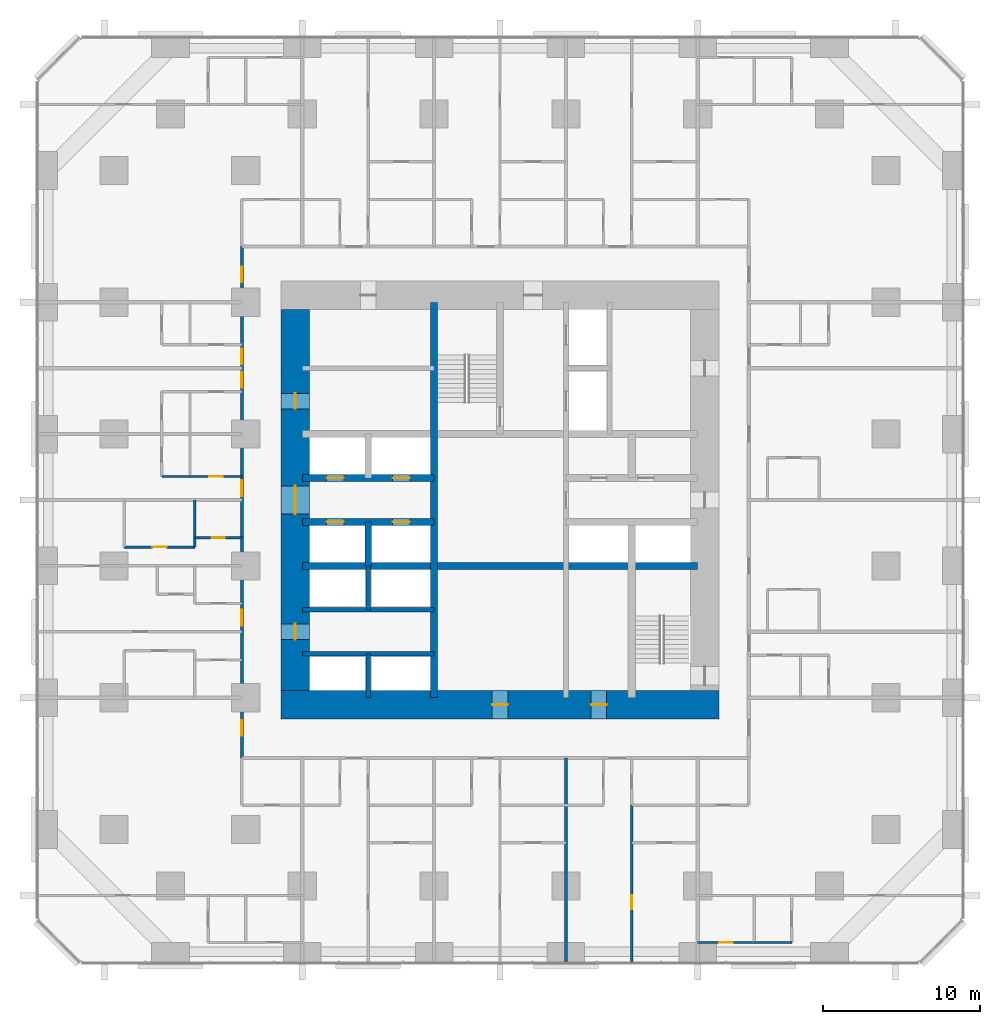
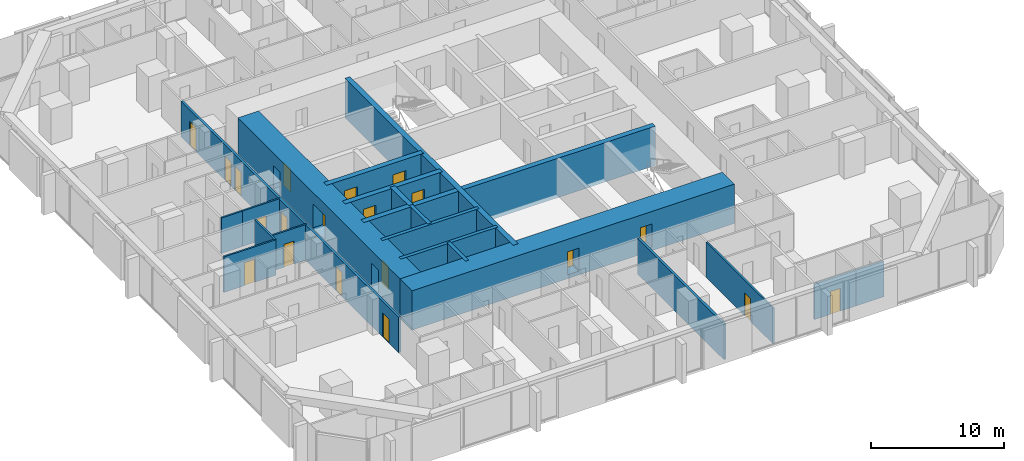
# One storey, part 12 of 17: 21 walls, 20 doors, 20 openings.
"""IFC4 building model written with IfcOpenShell, lengths in metres."""

from ifc_helpers import new_model, si_unit, direction, frame, frame_2d, origin, place, context, subcontext, project, spatial, rectangle, extrude, material, layer, layer_set, type_object, element, fill, save


model = new_model("IFC4")

# Units and contexts
model_context = context("Model", 3, precision=1e-05, world=origin(), true_north=direction((0.0, 1.0)))
body_context = subcontext(model_context, "Body", "Model", "MODEL_VIEW")
ifc_project = project(units=[si_unit("LENGTHUNIT", "METRE"), si_unit("AREAUNIT", "SQUARE_METRE"), si_unit("VOLUMEUNIT", "CUBIC_METRE"), si_unit("PLANEANGLEUNIT", "RADIAN"), si_unit("MASSUNIT", "GRAM", prefix="KILO")], contexts=[model_context])

# Site, building, storey
site_placement = place(None, origin())
site = spatial("IfcSite", under=ifc_project, at=site_placement, CompositionType="ELEMENT")
building_placement = place(site_placement, origin())
building = spatial("IfcBuilding", under=site, at=building_placement, Name="Dunama Terrace Hotel", CompositionType="ELEMENT")
storey_placement = place(building_placement, frame((0.0, 0.0, 45.0)))
storey = spatial("IfcBuildingStorey", under=building, at=storey_placement, Name="L10", CompositionType="ELEMENT", Elevation=45.0)

# Wall, opening, door
ifc_material_1 = material(Name="Gypsum board partition", Category="masonry")
ifc_layer_1 = layer(ifc_material_1, 0.14990234375)
ifc_layer_set_1 = layer_set([ifc_layer_1], Name="Bathroom partition 150")
wall_type_1 = type_object("IfcWallType", Name="Bathroom partition 150", PredefinedType="PARTITIONING", material=ifc_layer_set_1)
wall_1_placement = place(storey_placement, frame((42.0, 1.199951171875, 0.0), z_axis=(0.0, 0.0, 1.0), x_axis=(1.0, 0.0, 0.0)))
wall_1 = element("IfcWall", 1, at=wall_1_placement, inside=storey, type_object=wall_type_1, Name="Bathroom partition 150 L10", PredefinedType="PARTITIONING", context=body_context, shape_type="SweptSolid", body=[
    extrude(rectangle(XDim=3.60009765625, YDim=0.14990234375, at=frame_2d((1.800048828125, 0.0))), origin(), (0.0, 0.0, 1.0), 3.25),
])
opening_1_placement = place(wall_1_placement, frame((1.375, 0.0, 0.0)))
opening_1 = element("IfcOpeningElement", 2, at=opening_1_placement, cuts=wall_1, Name="Opening L10-11-075", PredefinedType="OPENING", context=body_context, shape_type="SweptSolid", body=[
    extrude(rectangle(XDim=0.85009765625, YDim=2.10009765625, at=frame_2d((0.425048828125, 1.050048828125))), frame((0.0, 0.0849609375, 0.0), z_axis=(0.0, -1.0, 0.0), x_axis=(1.0, 0.0, 0.0)), (0.0, 0.0, 1.0), 0.169921875),
])
ifc_material_2 = material(Name="Timber door with steel frame", Category="steel")
door_type_1 = type_object("IfcDoorType", Name="Bathroom door 850", OperationType="SINGLE_SWING_LEFT", PredefinedType="DOOR", material=ifc_material_2)
door_1_placement = place(opening_1_placement, origin())
door_1 = element("IfcDoor", 3, at=door_1_placement, inside=storey, type_object=door_type_1, Name="Door to en-suite bathroom L10-11-075, type D2", OperationType="SINGLE_SWING_LEFT", OverallHeight=2.10009765625, OverallWidth=0.85009765625, PredefinedType="DOOR", context=body_context, shape_type="SweptSolid", body=[
    extrude(rectangle(XDim=0.85009765625, YDim=2.10009765625, at=frame_2d((0.425048828125, 1.050048828125))), frame((0.0, 0.02490234375, 0.0), z_axis=(0.0, -1.0, 0.0), x_axis=(1.0, 0.0, 0.0)), (0.0, 0.0, 1.0), 0.050048828125),
])
fill(opening_1, door_1)

wall_2_placement = place(storey_placement, frame((9.949951171875, 27.0, 0.0), z_axis=(0.0, 0.0, 1.0), x_axis=(1.0, 0.0, 0.0)))
wall_2 = element("IfcWall", 4, at=wall_2_placement, inside=storey, type_object=wall_type_1, Name="Bathroom partition 150 L10", PredefinedType="PARTITIONING", context=body_context, shape_type="SweptSolid", body=[
    extrude(rectangle(XDim=3.0, YDim=0.14990234375, at=frame_2d((1.5, 0.0))), origin(), (0.0, 0.0, 1.0), 3.25),
])
opening_2_placement = place(wall_2_placement, frame((1.074951171875, 0.0, 0.0)))
opening_2 = element("IfcOpeningElement", 5, at=opening_2_placement, cuts=wall_2, Name="Opening L10-11-053", PredefinedType="OPENING", context=body_context, shape_type="SweptSolid", body=[
    extrude(rectangle(XDim=0.85009765625, YDim=2.10009765625, at=frame_2d((0.425048828125, 1.050048828125))), frame((0.0, 0.0849609375, 0.0), z_axis=(0.0, -1.0, 0.0), x_axis=(1.0, 0.0, 0.0)), (0.0, 0.0, 1.0), 0.169921875),
])
door_2_placement = place(opening_2_placement, origin())
door_2 = element("IfcDoor", 6, at=door_2_placement, inside=storey, type_object=door_type_1, Name="Door to en-suite bathroom L10-11-053, type D2", OperationType="SINGLE_SWING_RIGHT", OverallHeight=2.10009765625, OverallWidth=0.85009765625, PredefinedType="DOOR", context=body_context, shape_type="SweptSolid", body=[
    extrude(rectangle(XDim=0.85009765625, YDim=2.10009765625, at=frame_2d((0.425048828125, 1.050048828125))), frame((0.0, 0.02490234375, 0.0), z_axis=(0.0, -1.0, 0.0), x_axis=(1.0, 0.0, 0.0)), (0.0, 0.0, 1.0), 0.050048828125),
])
fill(opening_2, door_2)

wall_3_placement = place(storey_placement, frame((9.64990234375, 30.89990234375, 0.0), z_axis=(0.0, 0.0, 1.0), x_axis=(1.0, 0.0, 0.0)))
wall_3 = element("IfcWall", 7, at=wall_3_placement, inside=storey, type_object=wall_type_1, Name="Bathroom partition 150 L10", PredefinedType="PARTITIONING", context=body_context, shape_type="SweptSolid", body=[
    extrude(rectangle(XDim=3.300048828125, YDim=0.14990234375, at=frame_2d((1.64990234375, 0.0))), origin(), (0.0, 0.0, 1.0), 3.25),
])
opening_3_placement = place(wall_3_placement, frame((1.22509765625, 0.0, 0.0)))
opening_3 = element("IfcOpeningElement", 8, at=opening_3_placement, cuts=wall_3, Name="Opening L10-11-059", PredefinedType="OPENING", context=body_context, shape_type="SweptSolid", body=[
    extrude(rectangle(XDim=0.85009765625, YDim=2.10009765625, at=frame_2d((0.425048828125, 1.050048828125))), frame((0.0, 0.0849609375, 0.0), z_axis=(0.0, -1.0, 0.0), x_axis=(1.0, 0.0, 0.0)), (0.0, 0.0, 1.0), 0.169921875),
])
door_3_placement = place(opening_3_placement, origin())
door_3 = element("IfcDoor", 9, at=door_3_placement, inside=storey, type_object=door_type_1, Name="Door to en-suite bathroom L10-11-059, type D2", OperationType="SINGLE_SWING_RIGHT", OverallHeight=2.10009765625, OverallWidth=0.85009765625, PredefinedType="DOOR", context=body_context, shape_type="SweptSolid", body=[
    extrude(rectangle(XDim=0.85009765625, YDim=2.10009765625, at=frame_2d((0.425048828125, 1.050048828125))), frame((0.0, 0.02490234375, 0.0), z_axis=(0.0, -1.0, 0.0), x_axis=(1.0, 0.0, 0.0)), (0.0, 0.0, 1.0), 0.050048828125),
])
fill(opening_3, door_3)

# Walls
ifc_material_3 = material(Name="Concrete C50/60", Category="concrete")
ifc_layer_2 = layer(ifc_material_3, 0.300048828125)
ifc_layer_set_2 = layer_set([ifc_layer_2], Name="Core inner wall 300")
wall_type_2 = type_object("IfcWallType", Name="Core inner wall 300", PredefinedType="SHEAR", material=ifc_layer_set_2)
for number, where, z_axis, x_axis, name in (
    (10, (21.0, 16.800048828125, -0.35009765625), (0.0, 0.0, 1.0), (0.0, 1.0, 0.0), "Core inner wall 300 L10"),
    (11, (21.0, 22.39990234375, -0.35009765625), (0.0, 0.0, 1.0), (0.0, 1.0, 0.0), "Core inner wall 300 L10"),
):
    element("IfcWall", number, at=place(storey_placement, frame(where, z_axis=z_axis, x_axis=x_axis)), inside=storey, type_object=wall_type_2, Name=name, PredefinedType="SHEAR", context=body_context, shape_type="SweptSolid", body=[
        extrude(rectangle(XDim=2.800048828125, YDim=0.300048828125, at=frame_2d((1.39990234375, 0.0))), origin(), (0.0, 0.0, 1.0), 3.60009765625),
    ])
for number, where, z_axis, x_axis, name in (
    (12, (16.800048828125, 19.60009765625, -0.35009765625), (0.0, 0.0, 1.0), (1.0, 0.0, 0.0), "Core inner wall 300 L10"),
    (13, (16.800048828125, 22.39990234375, -0.35009765625), (0.0, 0.0, 1.0), (1.0, 0.0, 0.0), "Core inner wall 300 L10"),
):
    element("IfcWall", number, at=place(storey_placement, frame(where, z_axis=z_axis, x_axis=x_axis)), inside=storey, type_object=wall_type_2, Name=name, PredefinedType="SHEAR", context=body_context, shape_type="SweptSolid", body=[
        extrude(rectangle(XDim=8.39990234375, YDim=0.300048828125, at=frame_2d((4.199951171875, 0.0))), origin(), (0.0, 0.0, 1.0), 3.60009765625),
    ])
ifc_material_4 = material(Name="Concrete C50/60", Category="concrete")
ifc_layer_3 = layer(ifc_material_4, 0.39990234375)
ifc_layer_set_3 = layer_set([ifc_layer_3], Name="Core inner wall 400")
wall_type_3 = type_object("IfcWallType", Name="Core inner wall 400", PredefinedType="SHEAR", material=ifc_layer_set_3)
wall_4_placement = place(storey_placement, frame((21.0, 25.199951171875, -0.35009765625), z_axis=(0.0, 0.0, 1.0), x_axis=(0.0, 1.0, 0.0)))
element("IfcWall", 14, at=wall_4_placement, inside=storey, type_object=wall_type_3, Name="Core inner wall 400 L10", PredefinedType="SHEAR", context=body_context, shape_type="SweptSolid", body=[
    extrude(rectangle(XDim=2.800048828125, YDim=0.39990234375, at=frame_2d((1.39990234375, 0.0))), origin(), (0.0, 0.0, 1.0), 3.60009765625),
])
ifc_material_5 = material(Name="Concrete C50/60", Category="concrete")
ifc_layer_4 = layer(ifc_material_5, 0.449951171875)
ifc_layer_set_4 = layer_set([ifc_layer_4], Name="Core inner wall 450")
wall_type_4 = type_object("IfcWallType", Name="Core inner wall 450", PredefinedType="SHEAR", material=ifc_layer_set_4)
for number, where, z_axis, x_axis, name in (
    (15, (25.199951171875, 16.800048828125, -0.35009765625), (0.0, 0.0, 1.0), (0.0, 1.0, 0.0), "Core inner wall 450 L10"),
    (16, (16.800048828125, 25.199951171875, -0.35009765625), (0.0, 0.0, 1.0), (1.0, 0.0, 0.0), "Core inner wall 450 L10"),
):
    element("IfcWall", number, at=place(storey_placement, frame(where, z_axis=z_axis, x_axis=x_axis)), inside=storey, type_object=wall_type_4, Name=name, PredefinedType="SHEAR", context=body_context, shape_type="SweptSolid", body=[
        extrude(rectangle(XDim=25.199951171875, YDim=0.449951171875, at=frame_2d((12.60009765625, 0.0))), origin(), (0.0, 0.0, 1.0), 3.60009765625),
    ])

# Wall, openings, doors
wall_5_placement = place(storey_placement, frame((16.800048828125, 28.0, -0.35009765625), z_axis=(0.0, 0.0, 1.0), x_axis=(1.0, 0.0, 0.0)))
wall_5 = element("IfcWall", 17, at=wall_5_placement, inside=storey, type_object=wall_type_4, Name="Core inner wall 450 L10", PredefinedType="SHEAR", context=body_context, shape_type="SweptSolid", body=[
    extrude(rectangle(XDim=8.39990234375, YDim=0.449951171875, at=frame_2d((4.199951171875, 0.0))), origin(), (0.0, 0.0, 1.0), 3.60009765625),
])
opening_4_placement = place(wall_5_placement, frame((1.550048828125, 0.0, 0.35009765625)))
opening_4 = element("IfcOpeningElement", 18, at=opening_4_placement, cuts=wall_5, Name="Opening L10-11-003", PredefinedType="OPENING", context=body_context, shape_type="SweptSolid", body=[
    extrude(rectangle(XDim=1.10009765625, YDim=2.199951171875, at=frame_2d((0.550048828125, 1.10009765625))), frame((0.0, 0.23486328125, 0.0), z_axis=(0.0, -1.0, 0.0), x_axis=(1.0, 0.0, 0.0)), (0.0, 0.0, 1.0), 0.469970703125),
])
opening_5_placement = place(wall_5_placement, frame((5.75, 0.0, 0.35009765625)))
opening_5 = element("IfcOpeningElement", 19, at=opening_5_placement, cuts=wall_5, Name="Opening L10-11-004", PredefinedType="OPENING", context=body_context, shape_type="SweptSolid", body=[
    extrude(rectangle(XDim=1.10009765625, YDim=2.199951171875, at=frame_2d((0.550048828125, 1.10009765625))), frame((0.0, 0.23486328125, 0.0), z_axis=(0.0, -1.0, 0.0), x_axis=(1.0, 0.0, 0.0)), (0.0, 0.0, 1.0), 0.469970703125),
])
ifc_material_6 = material(Name="Stainless steel lift door", Category="steel")
door_type_2 = type_object("IfcDoorType", Name="Lift landing door 1100", OperationType="DOUBLE_DOOR_SLIDING", PredefinedType="DOOR", material=ifc_material_6)
door_4_placement = place(opening_4_placement, origin())
door_4 = element("IfcDoor", 20, at=door_4_placement, inside=storey, type_object=door_type_2, Name="Landing door PA1 L10-11-003, type LD1", OperationType="DOUBLE_DOOR_SLIDING", OverallHeight=2.199951171875, OverallWidth=1.10009765625, PredefinedType="DOOR", context=body_context, shape_type="SweptSolid", body=[
    extrude(rectangle(XDim=1.10009765625, YDim=2.199951171875, at=frame_2d((0.550048828125, 1.10009765625))), frame((0.0, 0.02490234375, 0.0), z_axis=(0.0, -1.0, 0.0), x_axis=(1.0, 0.0, 0.0)), (0.0, 0.0, 1.0), 0.050048828125),
])
fill(opening_4, door_4)
door_5_placement = place(opening_5_placement, origin())
door_5 = element("IfcDoor", 21, at=door_5_placement, inside=storey, type_object=door_type_2, Name="Landing door PA2 L10-11-004, type LD1", OperationType="DOUBLE_DOOR_SLIDING", OverallHeight=2.199951171875, OverallWidth=1.10009765625, PredefinedType="DOOR", context=body_context, shape_type="SweptSolid", body=[
    extrude(rectangle(XDim=1.10009765625, YDim=2.199951171875, at=frame_2d((0.550048828125, 1.10009765625))), frame((0.0, 0.02490234375, 0.0), z_axis=(0.0, -1.0, 0.0), x_axis=(1.0, 0.0, 0.0)), (0.0, 0.0, 1.0), 0.050048828125),
])
fill(opening_5, door_5)

wall_6_placement = place(storey_placement, frame((16.800048828125, 30.800048828125, -0.35009765625), z_axis=(0.0, 0.0, 1.0), x_axis=(1.0, 0.0, 0.0)))
wall_6 = element("IfcWall", 22, at=wall_6_placement, inside=storey, type_object=wall_type_4, Name="Core inner wall 450 L10", PredefinedType="SHEAR", context=body_context, shape_type="SweptSolid", body=[
    extrude(rectangle(XDim=8.39990234375, YDim=0.449951171875, at=frame_2d((4.199951171875, 0.0))), origin(), (0.0, 0.0, 1.0), 3.60009765625),
])
opening_6_placement = place(wall_6_placement, frame((1.550048828125, 0.0, 0.35009765625)))
opening_6 = element("IfcOpeningElement", 23, at=opening_6_placement, cuts=wall_6, Name="Opening L10-11-005", PredefinedType="OPENING", context=body_context, shape_type="SweptSolid", body=[
    extrude(rectangle(XDim=1.10009765625, YDim=2.199951171875, at=frame_2d((0.550048828125, 1.10009765625))), frame((0.0, 0.23486328125, 0.0), z_axis=(0.0, -1.0, 0.0), x_axis=(1.0, 0.0, 0.0)), (0.0, 0.0, 1.0), 0.469970703125),
])
opening_7_placement = place(wall_6_placement, frame((5.75, 0.0, 0.35009765625)))
opening_7 = element("IfcOpeningElement", 24, at=opening_7_placement, cuts=wall_6, Name="Opening L10-11-006", PredefinedType="OPENING", context=body_context, shape_type="SweptSolid", body=[
    extrude(rectangle(XDim=1.10009765625, YDim=2.199951171875, at=frame_2d((0.550048828125, 1.10009765625))), frame((0.0, 0.23486328125, 0.0), z_axis=(0.0, -1.0, 0.0), x_axis=(1.0, 0.0, 0.0)), (0.0, 0.0, 1.0), 0.469970703125),
])
door_6_placement = place(opening_6_placement, origin())
door_6 = element("IfcDoor", 25, at=door_6_placement, inside=storey, type_object=door_type_2, Name="Landing door PA3 L10-11-005, type LD1", OperationType="DOUBLE_DOOR_SLIDING", OverallHeight=2.199951171875, OverallWidth=1.10009765625, PredefinedType="DOOR", context=body_context, shape_type="SweptSolid", body=[
    extrude(rectangle(XDim=1.10009765625, YDim=2.199951171875, at=frame_2d((0.550048828125, 1.10009765625))), frame((0.0, 0.02490234375, 0.0), z_axis=(0.0, -1.0, 0.0), x_axis=(1.0, 0.0, 0.0)), (0.0, 0.0, 1.0), 0.050048828125),
])
fill(opening_6, door_6)
door_7_placement = place(opening_7_placement, origin())
door_7 = element("IfcDoor", 26, at=door_7_placement, inside=storey, type_object=door_type_2, Name="Landing door PA4 L10-11-006, type LD1", OperationType="DOUBLE_DOOR_SLIDING", OverallHeight=2.199951171875, OverallWidth=1.10009765625, PredefinedType="DOOR", context=body_context, shape_type="SweptSolid", body=[
    extrude(rectangle(XDim=1.10009765625, YDim=2.199951171875, at=frame_2d((0.550048828125, 1.10009765625))), frame((0.0, 0.02490234375, 0.0), z_axis=(0.0, -1.0, 0.0), x_axis=(1.0, 0.0, 0.0)), (0.0, 0.0, 1.0), 0.050048828125),
])
fill(opening_7, door_7)

ifc_material_7 = material(Name="Concrete C60/75", Category="concrete")
ifc_layer_5 = layer(ifc_material_7, 1.800048828125)
ifc_layer_set_5 = layer_set([ifc_layer_5], Name="Core wall 1800")
wall_type_5 = type_object("IfcWallType", Name="Core wall 1800", PredefinedType="SHEAR", material=ifc_layer_set_5)
wall_7_placement = place(storey_placement, frame((15.449951171875, 16.35009765625, -0.35009765625), z_axis=(0.0, 0.0, 1.0), x_axis=(1.0, 0.0, 0.0)))
wall_7 = element("IfcWall", 27, at=wall_7_placement, inside=storey, type_object=wall_type_5, Name="Core wall south L10", PredefinedType="SHEAR", context=body_context, shape_type="SweptSolid", body=[
    extrude(rectangle(XDim=27.900146484375, YDim=1.800048828125, at=frame_2d((13.9501953125, 0.0))), origin(), (0.0, 0.0, 1.0), 3.60009765625),
])
opening_8_placement = place(wall_7_placement, frame((13.449951171875, 0.0, 0.35009765625)))
opening_8 = element("IfcOpeningElement", 28, at=opening_8_placement, cuts=wall_7, Name="Opening L10-11-097", PredefinedType="OPENING", context=body_context, shape_type="SweptSolid", body=[
    extrude(rectangle(XDim=1.0, YDim=2.10009765625, at=frame_2d((0.5, 1.050048828125))), frame((0.0, 0.909912109375, 0.0), z_axis=(0.0, -1.0, 0.0), x_axis=(1.0, 0.0, 0.0)), (0.0, 0.0, 1.0), 1.820068359375),
])
opening_9_placement = place(wall_7_placement, frame((19.75, 0.0, 0.35009765625)))
opening_9 = element("IfcOpeningElement", 29, at=opening_9_placement, cuts=wall_7, Name="Opening L10-11-098", PredefinedType="OPENING", context=body_context, shape_type="SweptSolid", body=[
    extrude(rectangle(XDim=1.0, YDim=2.10009765625, at=frame_2d((0.5, 1.050048828125))), frame((0.0, 0.909912109375, 0.0), z_axis=(0.0, -1.0, 0.0), x_axis=(1.0, 0.0, 0.0)), (0.0, 0.0, 1.0), 1.820068359375),
])
ifc_material_8 = material(Name="Timber door with steel frame", Category="steel")
door_type_3 = type_object("IfcDoorType", Name="Service door 1000", OperationType="SINGLE_SWING_LEFT", PredefinedType="DOOR", material=ifc_material_8)
door_8_placement = place(opening_8_placement, origin())
door_8 = element("IfcDoor", 30, at=door_8_placement, inside=storey, type_object=door_type_3, Name="Door to corridor air handling room L10-11-097, type D7", OperationType="SINGLE_SWING_LEFT", OverallHeight=2.10009765625, OverallWidth=1.0, PredefinedType="DOOR", context=body_context, shape_type="SweptSolid", body=[
    extrude(rectangle(XDim=1.0, YDim=2.10009765625, at=frame_2d((0.5, 1.050048828125))), frame((0.0, 0.02490234375, 0.0), z_axis=(0.0, -1.0, 0.0), x_axis=(1.0, 0.0, 0.0)), (0.0, 0.0, 1.0), 0.050048828125),
])
fill(opening_8, door_8)
door_9_placement = place(opening_9_placement, origin())
door_9 = element("IfcDoor", 31, at=door_9_placement, inside=storey, type_object=door_type_3, Name="Door to water riser room L10-11-098, type D7", OperationType="SINGLE_SWING_RIGHT", OverallHeight=2.10009765625, OverallWidth=1.0, PredefinedType="DOOR", context=body_context, shape_type="SweptSolid", body=[
    extrude(rectangle(XDim=1.0, YDim=2.10009765625, at=frame_2d((0.5, 1.050048828125))), frame((0.0, 0.02490234375, 0.0), z_axis=(0.0, -1.0, 0.0), x_axis=(1.0, 0.0, 0.0)), (0.0, 0.0, 1.0), 0.050048828125),
])
fill(opening_9, door_9)

wall_8_placement = place(storey_placement, frame((16.35009765625, 41.550048828125, -0.35009765625), z_axis=(0.0, 0.0, 1.0), x_axis=(0.0, -1.0, 0.0)))
wall_8 = element("IfcWall", 32, at=wall_8_placement, inside=storey, type_object=wall_type_5, Name="Core wall west L10", PredefinedType="SHEAR", context=body_context, shape_type="SweptSolid", body=[
    extrude(rectangle(XDim=24.300048828125, YDim=1.800048828125, at=frame_2d((12.14990234375, 0.0))), origin(), (0.0, 0.0, 1.0), 3.60009765625),
])
opening_10_placement = place(wall_8_placement, frame((11.25, 0.0, 0.35009765625)))
opening_10 = element("IfcOpeningElement", 33, at=opening_10_placement, cuts=wall_8, Name="Opening L10-11-087", PredefinedType="OPENING", context=body_context, shape_type="SweptSolid", body=[
    extrude(rectangle(XDim=1.800048828125, YDim=2.199951171875, at=frame_2d((0.89990234375, 1.10009765625))), frame((0.0, 0.909912109375, 0.0), z_axis=(0.0, -1.0, 0.0), x_axis=(1.0, 0.0, 0.0)), (0.0, 0.0, 1.0), 1.820068359375),
])
opening_11_placement = place(wall_8_placement, frame((20.050048828125, 0.0, 0.35009765625)))
opening_11 = element("IfcOpeningElement", 34, at=opening_11_placement, cuts=wall_8, Name="Opening L10-11-088", PredefinedType="OPENING", context=body_context, shape_type="SweptSolid", body=[
    extrude(rectangle(XDim=1.0, YDim=2.10009765625, at=frame_2d((0.5, 1.050048828125))), frame((0.0, 0.909912109375, 0.0), z_axis=(0.0, -1.0, 0.0), x_axis=(1.0, 0.0, 0.0)), (0.0, 0.0, 1.0), 1.820068359375),
])
opening_12_placement = place(wall_8_placement, frame((5.35009765625, 0.0, 0.35009765625)))
opening_12 = element("IfcOpeningElement", 35, at=opening_12_placement, cuts=wall_8, Name="Opening L10-11-089", PredefinedType="OPENING", context=body_context, shape_type="SweptSolid", body=[
    extrude(rectangle(XDim=1.0, YDim=2.10009765625, at=frame_2d((0.5, 1.050048828125))), frame((0.0, 0.909912109375, 0.0), z_axis=(0.0, -1.0, 0.0), x_axis=(1.0, 0.0, 0.0)), (0.0, 0.0, 1.0), 1.820068359375),
])
ifc_material_9 = material(Name="Timber door with steel frame", Category="steel")
door_type_4 = type_object("IfcDoorType", Name="Lift lobby double door 1800", OperationType="DOUBLE_DOOR_DOUBLE_SWING", PredefinedType="DOOR", material=ifc_material_9)
door_10_placement = place(opening_10_placement, origin())
door_10 = element("IfcDoor", 36, at=door_10_placement, inside=storey, type_object=door_type_4, Name="Door to lift lobby L10-11-087, type D3", OperationType="DOUBLE_DOOR_DOUBLE_SWING", OverallHeight=2.199951171875, OverallWidth=1.800048828125, PredefinedType="DOOR", context=body_context, shape_type="SweptSolid", body=[
    extrude(rectangle(XDim=1.800048828125, YDim=2.199951171875, at=frame_2d((0.89990234375, 1.10009765625))), frame((0.0, 0.02490234375, 0.0), z_axis=(0.0, -1.0, 0.0), x_axis=(1.0, 0.0, 0.0)), (0.0, 0.0, 1.0), 0.050048828125),
])
fill(opening_10, door_10)
door_11_placement = place(opening_11_placement, origin())
door_11 = element("IfcDoor", 37, at=door_11_placement, inside=storey, type_object=door_type_3, Name="Door to service lobby L10-11-088, type D7", OperationType="SINGLE_SWING_RIGHT", OverallHeight=2.10009765625, OverallWidth=1.0, PredefinedType="DOOR", context=body_context, shape_type="SweptSolid", body=[
    extrude(rectangle(XDim=1.0, YDim=2.10009765625, at=frame_2d((0.5, 1.050048828125))), frame((0.0, 0.02490234375, 0.0), z_axis=(0.0, -1.0, 0.0), x_axis=(1.0, 0.0, 0.0)), (0.0, 0.0, 1.0), 0.050048828125),
])
fill(opening_11, door_11)
door_12_placement = place(opening_12_placement, origin())
door_12 = element("IfcDoor", 38, at=door_12_placement, inside=storey, type_object=door_type_3, Name="Door to electrical room L10-11-089, type D7", OperationType="SINGLE_SWING_RIGHT", OverallHeight=2.10009765625, OverallWidth=1.0, PredefinedType="DOOR", context=body_context, shape_type="SweptSolid", body=[
    extrude(rectangle(XDim=1.0, YDim=2.10009765625, at=frame_2d((0.5, 1.050048828125))), frame((0.0, 0.02490234375, 0.0), z_axis=(0.0, -1.0, 0.0), x_axis=(1.0, 0.0, 0.0)), (0.0, 0.0, 1.0), 0.050048828125),
])
fill(opening_12, door_12)

ifc_material_10 = material(Name="Concrete blockwork", Category="masonry")
ifc_layer_6 = layer(ifc_material_10, 0.199951171875)
ifc_layer_set_6 = layer_set([ifc_layer_6], Name="Corridor partition 200")
wall_type_6 = type_object("IfcWallType", Name="Corridor partition 200", PredefinedType="PARTITIONING", material=ifc_layer_set_6)
wall_9_placement = place(storey_placement, frame((12.949951171875, 12.949951171875, 0.0), z_axis=(0.0, 0.0, 1.0), x_axis=(0.0, 1.0, 0.0)))
wall_9 = element("IfcWall", 39, at=wall_9_placement, inside=storey, type_object=wall_type_6, Name="Corridor partition 200 L10", PredefinedType="PARTITIONING", context=body_context, shape_type="SweptSolid", body=[
    extrude(rectangle(XDim=32.60009765625, YDim=0.199951171875, at=frame_2d((16.300048828125, 0.0))), origin(), (0.0, 0.0, 1.0), 3.25),
])
opening_13_placement = place(wall_9_placement, frame((8.449951171875, 0.0, 0.0)))
opening_13 = element("IfcOpeningElement", 40, at=opening_13_placement, cuts=wall_9, Name="Opening L10-11-049", PredefinedType="OPENING", context=body_context, shape_type="SweptSolid", body=[
    extrude(rectangle(XDim=1.0, YDim=2.199951171875, at=frame_2d((0.5, 1.10009765625))), frame((0.0, 0.10986328125, 0.0), z_axis=(0.0, -1.0, 0.0), x_axis=(1.0, 0.0, 0.0)), (0.0, 0.0, 1.0), 0.219970703125),
])
opening_14_placement = place(wall_9_placement, frame((16.699951171875, 0.0, 0.0)))
opening_14 = element("IfcOpeningElement", 41, at=opening_14_placement, cuts=wall_9, Name="Opening L10-11-058", PredefinedType="OPENING", context=body_context, shape_type="SweptSolid", body=[
    extrude(rectangle(XDim=1.0, YDim=2.199951171875, at=frame_2d((0.5, 1.10009765625))), frame((0.0, 0.10986328125, 0.0), z_axis=(0.0, -1.0, 0.0), x_axis=(1.0, 0.0, 0.0)), (0.0, 0.0, 1.0), 0.219970703125),
])
opening_15_placement = place(wall_9_placement, frame((23.60009765625, 0.0, 0.0)))
opening_15 = element("IfcOpeningElement", 42, at=opening_15_placement, cuts=wall_9, Name="Opening L10-11-061", PredefinedType="OPENING", context=body_context, shape_type="SweptSolid", body=[
    extrude(rectangle(XDim=1.0, YDim=2.199951171875, at=frame_2d((0.5, 1.10009765625))), frame((0.0, 0.10986328125, 0.0), z_axis=(0.0, -1.0, 0.0), x_axis=(1.0, 0.0, 0.0)), (0.0, 0.0, 1.0), 0.219970703125),
])
opening_16_placement = place(wall_9_placement, frame((25.10009765625, 0.0, 0.0)))
opening_16 = element("IfcOpeningElement", 43, at=opening_16_placement, cuts=wall_9, Name="Opening L10-11-064", PredefinedType="OPENING", context=body_context, shape_type="SweptSolid", body=[
    extrude(rectangle(XDim=1.0, YDim=2.199951171875, at=frame_2d((0.5, 1.10009765625))), frame((0.0, 0.10986328125, 0.0), z_axis=(0.0, -1.0, 0.0), x_axis=(1.0, 0.0, 0.0)), (0.0, 0.0, 1.0), 0.219970703125),
])
opening_17_placement = place(wall_9_placement, frame((1.425048828125, 0.0, 0.0)))
opening_17 = element("IfcOpeningElement", 44, at=opening_17_placement, cuts=wall_9, Name="Opening L10-11-067", PredefinedType="OPENING", context=body_context, shape_type="SweptSolid", body=[
    extrude(rectangle(XDim=1.0, YDim=2.199951171875, at=frame_2d((0.5, 1.10009765625))), frame((0.0, 0.10986328125, 0.0), z_axis=(0.0, -1.0, 0.0), x_axis=(1.0, 0.0, 0.0)), (0.0, 0.0, 1.0), 0.219970703125),
])
opening_18_placement = place(wall_9_placement, frame((30.324951171875, 0.0, 0.0)))
opening_18 = element("IfcOpeningElement", 45, at=opening_18_placement, cuts=wall_9, Name="Opening L10-11-082", PredefinedType="OPENING", context=body_context, shape_type="SweptSolid", body=[
    extrude(rectangle(XDim=1.0, YDim=2.199951171875, at=frame_2d((0.5, 1.10009765625))), frame((0.0, 0.10986328125, 0.0), z_axis=(0.0, -1.0, 0.0), x_axis=(1.0, 0.0, 0.0)), (0.0, 0.0, 1.0), 0.219970703125),
])
ifc_material_11 = material(Name="Timber door with steel frame", Category="steel")
door_type_5 = type_object("IfcDoorType", Name="Guest room door 1000", OperationType="SINGLE_SWING_LEFT", PredefinedType="DOOR", material=ifc_material_11)
door_13_placement = place(opening_13_placement, origin())
door_13 = element("IfcDoor", 46, at=door_13_placement, inside=storey, type_object=door_type_5, Name="Door to two-bedroom residence living room L10-11-049, type D1", OperationType="SINGLE_SWING_LEFT", OverallHeight=2.199951171875, OverallWidth=1.0, PredefinedType="DOOR", context=body_context, shape_type="SweptSolid", body=[
    extrude(rectangle(XDim=1.0, YDim=2.199951171875, at=frame_2d((0.5, 1.10009765625))), frame((0.0, 0.02490234375, 0.0), z_axis=(0.0, -1.0, 0.0), x_axis=(1.0, 0.0, 0.0)), (0.0, 0.0, 1.0), 0.050048828125),
])
fill(opening_13, door_13)
door_14_placement = place(opening_14_placement, origin())
door_14 = element("IfcDoor", 47, at=door_14_placement, inside=storey, type_object=door_type_5, Name="Door to deluxe room L10-11-058, type D1", OperationType="SINGLE_SWING_LEFT", OverallHeight=2.199951171875, OverallWidth=1.0, PredefinedType="DOOR", context=body_context, shape_type="SweptSolid", body=[
    extrude(rectangle(XDim=1.0, YDim=2.199951171875, at=frame_2d((0.5, 1.10009765625))), frame((0.0, 0.02490234375, 0.0), z_axis=(0.0, -1.0, 0.0), x_axis=(1.0, 0.0, 0.0)), (0.0, 0.0, 1.0), 0.050048828125),
])
fill(opening_14, door_14)
door_15_placement = place(opening_15_placement, origin())
door_15 = element("IfcDoor", 48, at=door_15_placement, inside=storey, type_object=door_type_5, Name="Door to deluxe room L10-11-061, type D1", OperationType="SINGLE_SWING_RIGHT", OverallHeight=2.199951171875, OverallWidth=1.0, PredefinedType="DOOR", context=body_context, shape_type="SweptSolid", body=[
    extrude(rectangle(XDim=1.0, YDim=2.199951171875, at=frame_2d((0.5, 1.10009765625))), frame((0.0, 0.02490234375, 0.0), z_axis=(0.0, -1.0, 0.0), x_axis=(1.0, 0.0, 0.0)), (0.0, 0.0, 1.0), 0.050048828125),
])
fill(opening_15, door_15)
door_16_placement = place(opening_16_placement, origin())
door_16 = element("IfcDoor", 49, at=door_16_placement, inside=storey, type_object=door_type_5, Name="Door to deluxe room L10-11-064, type D1", OperationType="SINGLE_SWING_LEFT", OverallHeight=2.199951171875, OverallWidth=1.0, PredefinedType="DOOR", context=body_context, shape_type="SweptSolid", body=[
    extrude(rectangle(XDim=1.0, YDim=2.199951171875, at=frame_2d((0.5, 1.10009765625))), frame((0.0, 0.02490234375, 0.0), z_axis=(0.0, -1.0, 0.0), x_axis=(1.0, 0.0, 0.0)), (0.0, 0.0, 1.0), 0.050048828125),
])
fill(opening_16, door_16)
door_17_placement = place(opening_17_placement, origin())
door_17 = element("IfcDoor", 50, at=door_17_placement, inside=storey, type_object=door_type_5, Name="Door to corner suite living room L10-11-067, type D1", OperationType="SINGLE_SWING_RIGHT", OverallHeight=2.199951171875, OverallWidth=1.0, PredefinedType="DOOR", context=body_context, shape_type="SweptSolid", body=[
    extrude(rectangle(XDim=1.0, YDim=2.199951171875, at=frame_2d((0.5, 1.10009765625))), frame((0.0, 0.02490234375, 0.0), z_axis=(0.0, -1.0, 0.0), x_axis=(1.0, 0.0, 0.0)), (0.0, 0.0, 1.0), 0.050048828125),
])
fill(opening_17, door_17)
door_18_placement = place(opening_18_placement, origin())
door_18 = element("IfcDoor", 51, at=door_18_placement, inside=storey, type_object=door_type_5, Name="Door to corner suite living room L10-11-082, type D1", OperationType="SINGLE_SWING_LEFT", OverallHeight=2.199951171875, OverallWidth=1.0, PredefinedType="DOOR", context=body_context, shape_type="SweptSolid", body=[
    extrude(rectangle(XDim=1.0, YDim=2.199951171875, at=frame_2d((0.5, 1.10009765625))), frame((0.0, 0.02490234375, 0.0), z_axis=(0.0, -1.0, 0.0), x_axis=(1.0, 0.0, 0.0)), (0.0, 0.0, 1.0), 0.050048828125),
])
fill(opening_18, door_18)

# Walls
ifc_material_12 = material(Name="Concrete blockwork", Category="masonry")
ifc_layer_7 = layer(ifc_material_12, 0.199951171875)
ifc_layer_set_7 = layer_set([ifc_layer_7], Name="Party wall 200")
wall_type_7 = type_object("IfcWallType", Name="Party wall 200", PredefinedType="PARTITIONING", material=ifc_layer_set_7)
wall_10_placement = place(storey_placement, frame((33.60009765625, -0.008056640625, 0.0), z_axis=(0.0, 0.0, 1.0), x_axis=(0.0, 1.0, 0.0)))
element("IfcWall", 52, at=wall_10_placement, inside=storey, type_object=wall_type_7, Name="Party wall 200 L10", PredefinedType="PARTITIONING", context=body_context, shape_type="SweptSolid", body=[
    extrude(rectangle(XDim=12.9580078125, YDim=0.199951171875, at=frame_2d((6.47900390625, 0.0))), origin(), (0.0, 0.0, 1.0), 3.25),
])
ifc_material_13 = material(Name="Gypsum board partition", Category="masonry")
ifc_layer_8 = layer(ifc_material_13, 0.14990234375)
ifc_layer_set_8 = layer_set([ifc_layer_8], Name="Room partition 150")
wall_type_8 = type_object("IfcWallType", Name="Room partition 150", PredefinedType="PARTITIONING", material=ifc_layer_set_8)
wall_11_placement = place(storey_placement, frame((9.949951171875, 26.39990234375, 0.0), z_axis=(0.0, 0.0, 1.0), x_axis=(0.0, 1.0, 0.0)))
element("IfcWall", 53, at=wall_11_placement, inside=storey, type_object=wall_type_8, Name="Room partition 150 L10", PredefinedType="PARTITIONING", context=body_context, shape_type="SweptSolid", body=[
    extrude(rectangle(XDim=3.0, YDim=0.14990234375, at=frame_2d((1.5, 0.0))), origin(), (0.0, 0.0, 1.0), 3.25),
])

# Wall, opening, door
wall_12_placement = place(storey_placement, frame((37.800048828125, -0.008056640625, 0.0), z_axis=(0.0, 0.0, 1.0), x_axis=(0.0, 1.0, 0.0)))
wall_12 = element("IfcWall", 54, at=wall_12_placement, inside=storey, type_object=wall_type_8, Name="Room partition 150 L10", PredefinedType="PARTITIONING", context=body_context, shape_type="SweptSolid", body=[
    extrude(rectangle(XDim=9.9580078125, YDim=0.14990234375, at=frame_2d((4.97900390625, 0.0))), origin(), (0.0, 0.0, 1.0), 3.25),
])
opening_19_placement = place(wall_12_placement, frame((3.3330078125, 0.0, 0.0)))
opening_19 = element("IfcOpeningElement", 55, at=opening_19_placement, cuts=wall_12, Name="Opening L10-11-023", PredefinedType="OPENING", context=body_context, shape_type="SweptSolid", body=[
    extrude(rectangle(XDim=0.89990234375, YDim=2.10009765625, at=frame_2d((0.449951171875, 1.050048828125))), frame((0.0, 0.0849609375, 0.0), z_axis=(0.0, -1.0, 0.0), x_axis=(1.0, 0.0, 0.0)), (0.0, 0.0, 1.0), 0.169921875),
])
ifc_material_14 = material(Name="Timber door with steel frame", Category="steel")
door_type_6 = type_object("IfcDoorType", Name="Suite internal door 900", OperationType="SINGLE_SWING_LEFT", PredefinedType="DOOR", material=ifc_material_14)
door_19_placement = place(opening_19_placement, frame((0.89990234375, 0.0, 0.0), z_axis=(0.0, 0.0, 1.0), x_axis=(-1.0, 0.0, 0.0)))
door_19 = element("IfcDoor", 56, at=door_19_placement, inside=storey, type_object=door_type_6, Name="Door to residence bedroom L10-11-023, type D16", OperationType="SINGLE_SWING_LEFT", OverallHeight=2.10009765625, OverallWidth=0.89990234375, PredefinedType="DOOR", context=body_context, shape_type="SweptSolid", body=[
    extrude(rectangle(XDim=0.89990234375, YDim=2.10009765625, at=frame_2d((0.449951171875, 1.050048828125))), frame((0.0, 0.025146484375, 0.0), z_axis=(0.0, -1.0, 0.0), x_axis=(1.0, 0.0, 0.0)), (0.0, 0.0, 1.0), 0.050048828125),
])
fill(opening_19, door_19)

# Wall
wall_13_placement = place(storey_placement, frame((45.60009765625, 1.199951171875, 0.0), z_axis=(0.0, 0.0, 1.0), x_axis=(1.0, 0.0, 0.0)))
element("IfcWall", 57, at=wall_13_placement, inside=storey, type_object=wall_type_8, Name="Room partition 150 L10", PredefinedType="PARTITIONING", context=body_context, shape_type="SweptSolid", body=[
    extrude(rectangle(XDim=2.39990234375, YDim=0.14990234375, at=frame_2d((1.199951171875, 0.0))), origin(), (0.0, 0.0, 1.0), 3.25),
])

# Wall, opening, door
wall_14_placement = place(storey_placement, frame((5.449951171875, 26.39990234375, 0.0), z_axis=(0.0, 0.0, 1.0), x_axis=(1.0, 0.0, 0.0)))
wall_14 = element("IfcWall", 58, at=wall_14_placement, inside=storey, type_object=wall_type_8, Name="Room partition 150 L10", PredefinedType="PARTITIONING", context=body_context, shape_type="SweptSolid", body=[
    extrude(rectangle(XDim=4.5, YDim=0.14990234375, at=frame_2d((2.25, 0.0))), origin(), (0.0, 0.0, 1.0), 3.25),
])
opening_20_placement = place(wall_14_placement, frame((1.800048828125, 0.0, 0.0)))
opening_20 = element("IfcOpeningElement", 59, at=opening_20_placement, cuts=wall_14, Name="Opening L10-11-054", PredefinedType="OPENING", context=body_context, shape_type="SweptSolid", body=[
    extrude(rectangle(XDim=0.89990234375, YDim=2.10009765625, at=frame_2d((0.449951171875, 1.050048828125))), frame((0.0, 0.0849609375, 0.0), z_axis=(0.0, -1.0, 0.0), x_axis=(1.0, 0.0, 0.0)), (0.0, 0.0, 1.0), 0.169921875),
])
door_20_placement = place(opening_20_placement, origin())
door_20 = element("IfcDoor", 60, at=door_20_placement, inside=storey, type_object=door_type_6, Name="Door to walk-in wardrobe L10-11-054, type D16", OperationType="SINGLE_SWING_LEFT", OverallHeight=2.10009765625, OverallWidth=0.89990234375, PredefinedType="DOOR", context=body_context, shape_type="SweptSolid", body=[
    extrude(rectangle(XDim=0.89990234375, YDim=2.10009765625, at=frame_2d((0.449951171875, 1.050048828125))), frame((0.0, 0.02490234375, 0.0), z_axis=(0.0, -1.0, 0.0), x_axis=(1.0, 0.0, 0.0)), (0.0, 0.0, 1.0), 0.050048828125),
])
fill(opening_20, door_20)

# Wall
wall_15_placement = place(storey_placement, frame((7.85009765625, 30.89990234375, 0.0), z_axis=(0.0, 0.0, 1.0), x_axis=(1.0, 0.0, 0.0)))
element("IfcWall", 61, at=wall_15_placement, inside=storey, type_object=wall_type_8, Name="Room partition 150 L10", PredefinedType="PARTITIONING", context=body_context, shape_type="SweptSolid", body=[
    extrude(rectangle(XDim=1.7998046875, YDim=0.14990234375, at=frame_2d((0.89990234375, 0.0))), origin(), (0.0, 0.0, 1.0), 3.25),
])

save(model, "model.ifc")
